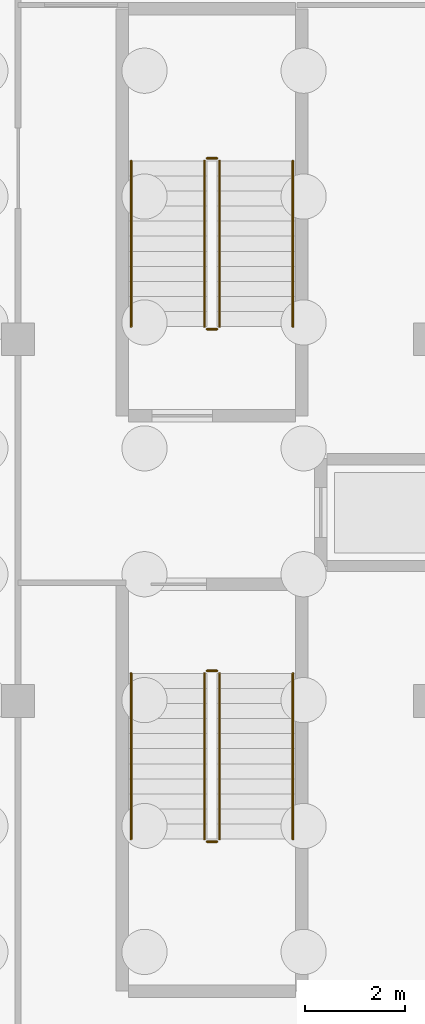
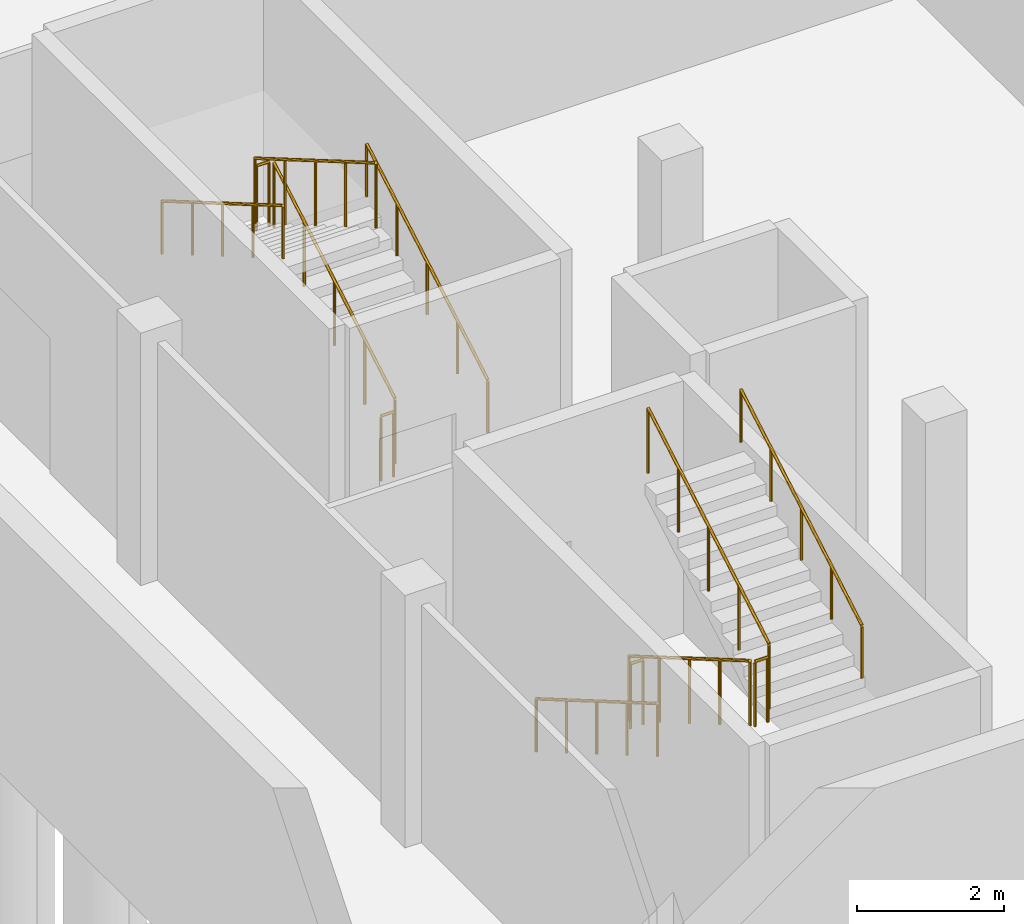
# One storey, part 20 of 21: 12 railings.
"""IFC4 building model written with IfcOpenShell, lengths in metres."""

from ifc_helpers import new_model, si_unit, direction, frame, origin, origin_2d, place, context, subcontext, project, spatial, circle, extrude, material, type_object, element, save


model = new_model("IFC4")

# Units and contexts
model_context = context("Model", 3, precision=1e-05, world=origin(), true_north=direction((0.0, 1.0)))
body_context = subcontext(model_context, "Body", "Model", "MODEL_VIEW")
ifc_project = project(units=[si_unit("LENGTHUNIT", "METRE"), si_unit("AREAUNIT", "SQUARE_METRE"), si_unit("VOLUMEUNIT", "CUBIC_METRE"), si_unit("PLANEANGLEUNIT", "RADIAN"), si_unit("MASSUNIT", "GRAM", prefix="KILO")], contexts=[model_context])

# Site, building, storey
site_placement = place(None, origin())
site = spatial("IfcSite", under=ifc_project, at=site_placement, CompositionType="ELEMENT")
building_placement = place(site_placement, origin())
building = spatial("IfcBuilding", under=site, at=building_placement, Name="Quillay Park Conservatory", CompositionType="ELEMENT")
storey_placement = place(building_placement, frame((0.0, 0.0, -8.39990234375)))
storey = spatial("IfcBuildingStorey", under=building, at=storey_placement, Name="B2", CompositionType="ELEMENT", Elevation=-8.39990234375)

# Railings
ifc_material_1 = material(Name="Steel S355J2H", Category="steel")
railing_type_1 = type_object("IfcRailingType", Name="STAIR WALL HANDRAIL 900", PredefinedType="HANDRAIL", material=ifc_material_1)
railing_1_placement = place(storey_placement, frame((150.25, 92.949951171875, 0.1748046875)))
element("IfcRailing", 1, at=railing_1_placement, inside=storey, type_object=railing_type_1, Name="B2 ST-A1 stair handrail 1", PredefinedType="HANDRAIL", context=body_context, shape_type="SweptSolid", body=[
    extrude(circle(Radius=0.02392578125, at=origin_2d()), frame((0.0, 0.0, 0.8759765625), z_axis=(0.0, -0.863776583165, 0.503874998761), x_axis=(1.0, 0.0, 0.0)), (0.0, 0.0, 1.0), 3.820556640625),
    extrude(circle(Radius=0.02099609375, at=origin_2d()), origin(), (0.0, 0.0, 1.0), 0.851806640625),
    extrude(circle(Radius=0.02099609375, at=origin_2d()), frame((0.0, -0.824951171875, 0.481201171875)), (0.0, 0.0, 1.0), 0.851806640625),
    extrude(circle(Radius=0.02099609375, at=origin_2d()), frame((0.0, -1.64990234375, 0.96240234375)), (0.0, 0.0, 1.0), 0.851806640625),
    extrude(circle(Radius=0.02099609375, at=origin_2d()), frame((0.0, -2.47509765625, 1.44384765625)), (0.0, 0.0, 1.0), 0.851806640625),
    extrude(circle(Radius=0.02099609375, at=origin_2d()), frame((0.0, -3.300048828125, 1.925048828125)), (0.0, 0.0, 1.0), 0.851806640625),
])
railing_2_placement = place(storey_placement, frame((153.469970703125, 89.64990234375, 2.27490234375)))
element("IfcRailing", 2, at=railing_2_placement, inside=storey, type_object=railing_type_1, Name="B2 ST-A1 stair handrail 2", PredefinedType="HANDRAIL", context=body_context, shape_type="SweptSolid", body=[
    extrude(circle(Radius=0.02392578125, at=origin_2d()), frame((0.0, 0.0, 0.8759765625), z_axis=(0.0, 0.863776583165, 0.503874998761), x_axis=(-1.0, 0.0, 0.0)), (0.0, 0.0, 1.0), 3.820556640625),
    extrude(circle(Radius=0.02099609375, at=origin_2d()), origin(), (0.0, 0.0, 1.0), 0.851806640625),
    extrude(circle(Radius=0.02099609375, at=origin_2d()), frame((0.0, 0.824951171875, 0.481201171875)), (0.0, 0.0, 1.0), 0.851806640625),
    extrude(circle(Radius=0.02099609375, at=origin_2d()), frame((0.0, 1.64990234375, 0.96240234375)), (0.0, 0.0, 1.0), 0.851806640625),
    extrude(circle(Radius=0.02099609375, at=origin_2d()), frame((0.0, 2.47509765625, 1.44384765625)), (0.0, 0.0, 1.0), 0.851806640625),
    extrude(circle(Radius=0.02099609375, at=origin_2d()), frame((0.0, 3.300048828125, 1.925048828125)), (0.0, 0.0, 1.0), 0.851806640625),
])
railing_3_placement = place(storey_placement, frame((153.469970703125, 99.85009765625, 0.1748046875)))
element("IfcRailing", 3, at=railing_3_placement, inside=storey, type_object=railing_type_1, Name="B2 ST-A2 stair handrail 1", PredefinedType="HANDRAIL", context=body_context, shape_type="SweptSolid", body=[
    extrude(circle(Radius=0.02392578125, at=origin_2d()), frame((0.0, 0.0, 0.8759765625), z_axis=(0.0, 0.863760357493, 0.503902812876), x_axis=(-1.0, 0.0, 0.0)), (0.0, 0.0, 1.0), 3.8203125),
    extrude(circle(Radius=0.02099609375, at=origin_2d()), origin(), (0.0, 0.0, 1.0), 0.851806640625),
    extrude(circle(Radius=0.02099609375, at=origin_2d()), frame((0.0, 0.824951171875, 0.481201171875)), (0.0, 0.0, 1.0), 0.851806640625),
    extrude(circle(Radius=0.02099609375, at=origin_2d()), frame((0.0, 1.64990234375, 0.96240234375)), (0.0, 0.0, 1.0), 0.851806640625),
    extrude(circle(Radius=0.02099609375, at=origin_2d()), frame((0.0, 2.474853515625, 1.44384765625)), (0.0, 0.0, 1.0), 0.851806640625),
    extrude(circle(Radius=0.02099609375, at=origin_2d()), frame((0.0, 3.2998046875, 1.925048828125)), (0.0, 0.0, 1.0), 0.851806640625),
])
railing_4_placement = place(storey_placement, frame((150.25, 103.14990234375, 2.27490234375)))
element("IfcRailing", 4, at=railing_4_placement, inside=storey, type_object=railing_type_1, Name="B2 ST-A2 stair handrail 2", PredefinedType="HANDRAIL", context=body_context, shape_type="SweptSolid", body=[
    extrude(circle(Radius=0.02392578125, at=origin_2d()), frame((0.0, 0.0, 0.8759765625), z_axis=(0.0, -0.863760357493, 0.503902812876), x_axis=(1.0, 0.0, 0.0)), (0.0, 0.0, 1.0), 3.8203125),
    extrude(circle(Radius=0.02099609375, at=origin_2d()), origin(), (0.0, 0.0, 1.0), 0.851806640625),
    extrude(circle(Radius=0.02099609375, at=origin_2d()), frame((0.0, -0.824951171875, 0.481201171875)), (0.0, 0.0, 1.0), 0.851806640625),
    extrude(circle(Radius=0.02099609375, at=origin_2d()), frame((0.0, -1.64990234375, 0.96240234375)), (0.0, 0.0, 1.0), 0.851806640625),
    extrude(circle(Radius=0.02099609375, at=origin_2d()), frame((0.0, -2.474853515625, 1.44384765625)), (0.0, 0.0, 1.0), 0.851806640625),
    extrude(circle(Radius=0.02099609375, at=origin_2d()), frame((0.0, -3.2998046875, 1.925048828125)), (0.0, 0.0, 1.0), 0.851806640625),
])
ifc_material_2 = material(Name="Steel S355J2H", Category="steel")
railing_type_2 = type_object("IfcRailingType", Name="STAIR WELL GUARDRAIL 1100", PredefinedType="GUARDRAIL", material=ifc_material_2)
railing_5_placement = place(storey_placement, frame((151.7099609375, 92.949951171875, 0.1748046875)))
element("IfcRailing", 5, at=railing_5_placement, inside=storey, type_object=railing_type_2, Name="B2 ST-A1 stair guard 1", PredefinedType="GUARDRAIL", context=body_context, shape_type="SweptSolid", body=[
    extrude(circle(Radius=0.02392578125, at=origin_2d()), frame((0.0, 0.0, 1.076171875), z_axis=(0.0, -0.863776583165, 0.503874998761), x_axis=(1.0, 0.0, 0.0)), (0.0, 0.0, 1.0), 3.820556640625),
    extrude(circle(Radius=0.02099609375, at=origin_2d()), origin(), (0.0, 0.0, 1.0), 1.052001953125),
    extrude(circle(Radius=0.02099609375, at=origin_2d()), frame((0.0, -0.824951171875, 0.481201171875)), (0.0, 0.0, 1.0), 1.052001953125),
    extrude(circle(Radius=0.02099609375, at=origin_2d()), frame((0.0, -1.64990234375, 0.96240234375)), (0.0, 0.0, 1.0), 1.052001953125),
    extrude(circle(Radius=0.02099609375, at=origin_2d()), frame((0.0, -2.47509765625, 1.44384765625)), (0.0, 0.0, 1.0), 1.052001953125),
    extrude(circle(Radius=0.02099609375, at=origin_2d()), frame((0.0, -3.300048828125, 1.925048828125)), (0.0, 0.0, 1.0), 1.052001953125),
])
railing_6_placement = place(storey_placement, frame((151.760009765625, 89.60009765625, 2.099853515625)))
element("IfcRailing", 6, at=railing_6_placement, inside=storey, type_object=railing_type_2, Name="B2 ST-A1 stair guard 2", PredefinedType="GUARDRAIL", context=body_context, shape_type="SweptSolid", body=[
    extrude(circle(Radius=0.02392578125, at=origin_2d()), frame((0.0, 0.0, 1.076171875), z_axis=(1.0, 0.0, 0.0), x_axis=(0.0, 1.0, 0.0)), (0.0, 0.0, 1.0), 0.199951171875),
    extrude(circle(Radius=0.02099609375, at=origin_2d()), origin(), (0.0, 0.0, 1.0), 1.052001953125),
    extrude(circle(Radius=0.02099609375, at=origin_2d()), frame((0.199951171875, 0.0, 0.0)), (0.0, 0.0, 1.0), 1.052001953125),
])
railing_7_placement = place(storey_placement, frame((152.010009765625, 89.64990234375, 2.27490234375)))
element("IfcRailing", 7, at=railing_7_placement, inside=storey, type_object=railing_type_2, Name="B2 ST-A1 stair guard 3", PredefinedType="GUARDRAIL", context=body_context, shape_type="SweptSolid", body=[
    extrude(circle(Radius=0.02392578125, at=origin_2d()), frame((0.0, 0.0, 1.076171875), z_axis=(0.0, 0.863776583165, 0.503874998761), x_axis=(-1.0, 0.0, 0.0)), (0.0, 0.0, 1.0), 3.820556640625),
    extrude(circle(Radius=0.02099609375, at=origin_2d()), origin(), (0.0, 0.0, 1.0), 1.052001953125),
    extrude(circle(Radius=0.02099609375, at=origin_2d()), frame((0.0, 0.824951171875, 0.481201171875)), (0.0, 0.0, 1.0), 1.052001953125),
    extrude(circle(Radius=0.02099609375, at=origin_2d()), frame((0.0, 1.64990234375, 0.96240234375)), (0.0, 0.0, 1.0), 1.052001953125),
    extrude(circle(Radius=0.02099609375, at=origin_2d()), frame((0.0, 2.47509765625, 1.44384765625)), (0.0, 0.0, 1.0), 1.052001953125),
    extrude(circle(Radius=0.02099609375, at=origin_2d()), frame((0.0, 3.300048828125, 1.925048828125)), (0.0, 0.0, 1.0), 1.052001953125),
])
railing_8_placement = place(storey_placement, frame((151.760009765625, 93.0, 0.0)))
element("IfcRailing", 8, at=railing_8_placement, inside=storey, type_object=railing_type_2, Name="B2 ST-A1 stair guard 4", PredefinedType="GUARDRAIL", context=body_context, shape_type="SweptSolid", body=[
    extrude(circle(Radius=0.02392578125, at=origin_2d()), frame((0.0, 0.0, 1.076171875), z_axis=(1.0, 0.0, 0.0), x_axis=(0.0, 1.0, 0.0)), (0.0, 0.0, 1.0), 0.199951171875),
    extrude(circle(Radius=0.02099609375, at=origin_2d()), origin(), (0.0, 0.0, 1.0), 1.052001953125),
    extrude(circle(Radius=0.02099609375, at=origin_2d()), frame((0.199951171875, 0.0, 0.0)), (0.0, 0.0, 1.0), 1.052001953125),
])
railing_9_placement = place(storey_placement, frame((152.010009765625, 99.85009765625, 0.1748046875)))
element("IfcRailing", 9, at=railing_9_placement, inside=storey, type_object=railing_type_2, Name="B2 ST-A2 stair guard 1", PredefinedType="GUARDRAIL", context=body_context, shape_type="SweptSolid", body=[
    extrude(circle(Radius=0.02392578125, at=origin_2d()), frame((0.0, 0.0, 1.076171875), z_axis=(0.0, 0.863760357493, 0.503902812876), x_axis=(-1.0, 0.0, 0.0)), (0.0, 0.0, 1.0), 3.8203125),
    extrude(circle(Radius=0.02099609375, at=origin_2d()), origin(), (0.0, 0.0, 1.0), 1.052001953125),
    extrude(circle(Radius=0.02099609375, at=origin_2d()), frame((0.0, 0.824951171875, 0.481201171875)), (0.0, 0.0, 1.0), 1.052001953125),
    extrude(circle(Radius=0.02099609375, at=origin_2d()), frame((0.0, 1.64990234375, 0.96240234375)), (0.0, 0.0, 1.0), 1.052001953125),
    extrude(circle(Radius=0.02099609375, at=origin_2d()), frame((0.0, 2.474853515625, 1.44384765625)), (0.0, 0.0, 1.0), 1.052001953125),
    extrude(circle(Radius=0.02099609375, at=origin_2d()), frame((0.0, 3.2998046875, 1.925048828125)), (0.0, 0.0, 1.0), 1.052001953125),
])
railing_10_placement = place(storey_placement, frame((151.9599609375, 103.199951171875, 2.099853515625)))
element("IfcRailing", 10, at=railing_10_placement, inside=storey, type_object=railing_type_2, Name="B2 ST-A2 stair guard 2", PredefinedType="GUARDRAIL", context=body_context, shape_type="SweptSolid", body=[
    extrude(circle(Radius=0.02392578125, at=origin_2d()), frame((0.0, 0.0, 1.076171875), z_axis=(-1.0, 0.0, 0.0), x_axis=(0.0, -1.0, 0.0)), (0.0, 0.0, 1.0), 0.199951171875),
    extrude(circle(Radius=0.02099609375, at=origin_2d()), origin(), (0.0, 0.0, 1.0), 1.052001953125),
    extrude(circle(Radius=0.02099609375, at=origin_2d()), frame((-0.199951171875, 0.0, 0.0)), (0.0, 0.0, 1.0), 1.052001953125),
])
railing_11_placement = place(storey_placement, frame((151.7099609375, 103.14990234375, 2.27490234375)))
element("IfcRailing", 11, at=railing_11_placement, inside=storey, type_object=railing_type_2, Name="B2 ST-A2 stair guard 3", PredefinedType="GUARDRAIL", context=body_context, shape_type="SweptSolid", body=[
    extrude(circle(Radius=0.02392578125, at=origin_2d()), frame((0.0, 0.0, 1.076171875), z_axis=(0.0, -0.863760357493, 0.503902812876), x_axis=(1.0, 0.0, 0.0)), (0.0, 0.0, 1.0), 3.8203125),
    extrude(circle(Radius=0.02099609375, at=origin_2d()), origin(), (0.0, 0.0, 1.0), 1.052001953125),
    extrude(circle(Radius=0.02099609375, at=origin_2d()), frame((0.0, -0.824951171875, 0.481201171875)), (0.0, 0.0, 1.0), 1.052001953125),
    extrude(circle(Radius=0.02099609375, at=origin_2d()), frame((0.0, -1.64990234375, 0.96240234375)), (0.0, 0.0, 1.0), 1.052001953125),
    extrude(circle(Radius=0.02099609375, at=origin_2d()), frame((0.0, -2.474853515625, 1.44384765625)), (0.0, 0.0, 1.0), 1.052001953125),
    extrude(circle(Radius=0.02099609375, at=origin_2d()), frame((0.0, -3.2998046875, 1.925048828125)), (0.0, 0.0, 1.0), 1.052001953125),
])
railing_12_placement = place(storey_placement, frame((151.9599609375, 99.800048828125, 0.0)))
element("IfcRailing", 12, at=railing_12_placement, inside=storey, type_object=railing_type_2, Name="B2 ST-A2 stair guard 4", PredefinedType="GUARDRAIL", context=body_context, shape_type="SweptSolid", body=[
    extrude(circle(Radius=0.02392578125, at=origin_2d()), frame((0.0, 0.0, 1.076171875), z_axis=(-1.0, 0.0, 0.0), x_axis=(0.0, -1.0, 0.0)), (0.0, 0.0, 1.0), 0.199951171875),
    extrude(circle(Radius=0.02099609375, at=origin_2d()), origin(), (0.0, 0.0, 1.0), 1.052001953125),
    extrude(circle(Radius=0.02099609375, at=origin_2d()), frame((-0.199951171875, 0.0, 0.0)), (0.0, 0.0, 1.0), 1.052001953125),
])

save(model, "model.ifc")
